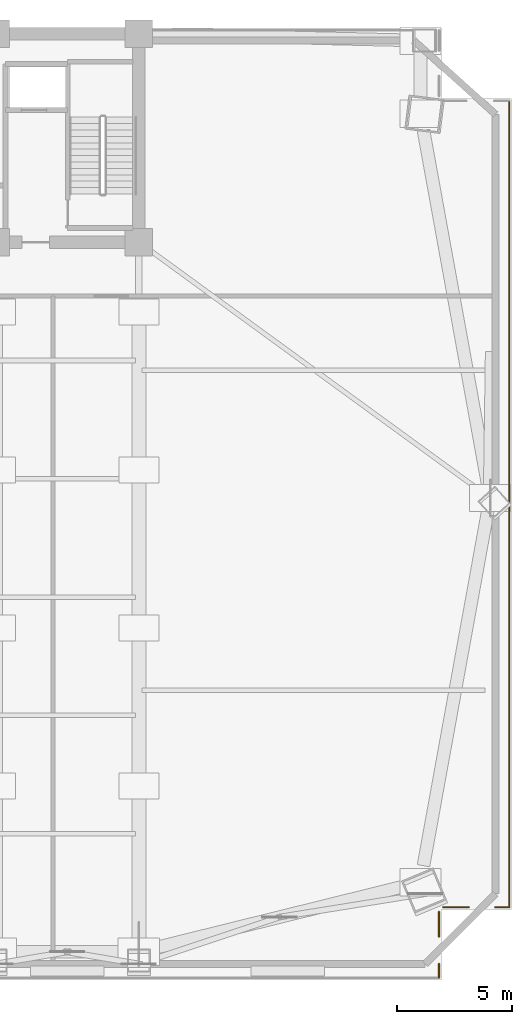
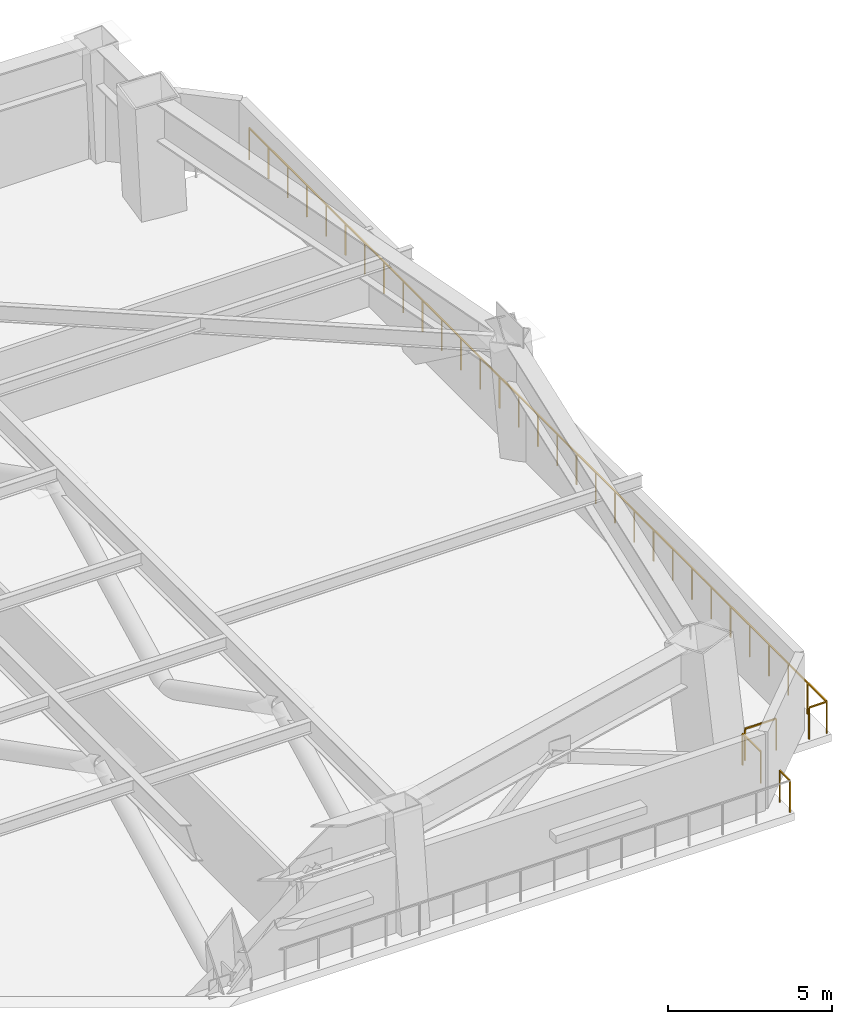
# One storey, part 8 of 10: 5 railings.
"""IFC4 building model written with IfcOpenShell, lengths in metres."""

import ifcopenshell
import ifcopenshell.guid

model = None  # the IFC model being written
_history = None  # IfcOwnerHistory: only IFC2X3 demands one
_inside = {}  # id of a spatial element -> (the spatial element, [elements in it])
_under = {}  # id of a project, library or spatial element -> (it, [spatial elements below it])
_declared = {}  # id of a project -> (the project, [libraries it declares])
_typed = {}  # id of a type object -> (the type object, [elements of that type])
_made_of = {}  # id of a material, layer set ... -> (it, [elements and type objects made of it])


def new_model(schema):
    """Start an empty IFC model of exactly this schema.

    Asked for "IFC4X3", IfcOpenShell would pick the latest addendum, in which some entities
    have other attributes; the version numbers below select the first issue.
    IFC2X3 requires an IfcOwnerHistory on every rooted entity: one is made here for all.
    """
    global model, _history
    if schema == "IFC4X3":
        model = ifcopenshell.file(schema_version=(4, 3, 0, 0))
    else:
        model = ifcopenshell.file(schema=schema)
    _inside.clear()
    _under.clear()
    _declared.clear()
    _typed.clear()
    _made_of.clear()
    _history = None
    if model.schema == "IFC2X3":
        org = make("IfcOrganization", Name="unknown")
        user = make(
            "IfcPersonAndOrganization",
            ThePerson=make("IfcPerson", FamilyName="unknown"),
            TheOrganization=org,
        )
        app = make(
            "IfcApplication",
            ApplicationDeveloper=org,
            Version="unknown",
            ApplicationFullName="unknown",
            ApplicationIdentifier="unknown",
        )
        _history = make(
            "IfcOwnerHistory",
            OwningUser=user,
            OwningApplication=app,
            ChangeAction="ADDED",
            CreationDate=0,
        )
    return model


def make(cls, **values):
    """One entity of the class cls with the attributes given. An attribute that is None is left unset."""
    return model.create_entity(
        cls, **{name: value for name, value in values.items() if value is not None}
    )


def rooted(cls, **values):
    """An entity with a GlobalId (a new one), such as an element, a storey or a relation."""
    return make(cls, GlobalId=ifcopenshell.guid.new(), OwnerHistory=_history, **values)


def si_unit(unit_type, name, prefix=None):
    """IfcSIUnit, for example si_unit("LENGTHUNIT", "METRE", prefix="MILLI")."""
    return make("IfcSIUnit", UnitType=unit_type, Prefix=prefix, Name=name)


def assignment(units):
    """IfcUnitAssignment: the units of a project."""
    return None if units is None else make("IfcUnitAssignment", Units=units)


def point(xyz):
    """IfcCartesianPoint."""
    return None if xyz is None else make("IfcCartesianPoint", Coordinates=xyz)


def direction(xyz):
    """IfcDirection."""
    return None if xyz is None else make("IfcDirection", DirectionRatios=xyz)


def frame(location, z_axis=None, x_axis=None):
    """IfcAxis2Placement3D, a coordinate frame: its origin and axes. An axis left out is left unset."""
    return make(
        "IfcAxis2Placement3D",
        Location=point(location),
        Axis=direction(z_axis),
        RefDirection=direction(x_axis),
    )


def frame_2d(location, x_axis=None):
    """IfcAxis2Placement2D, a coordinate frame in the plane: its origin and x axis."""
    return make(
        "IfcAxis2Placement2D", Location=point(location), RefDirection=direction(x_axis)
    )


def origin():
    """The frame at (0, 0, 0) with its axes left unset."""
    return frame((0.0, 0.0, 0.0))


def origin_2d():
    """The frame at (0, 0) in the plane with its x axis left unset."""
    return frame_2d((0.0, 0.0))


def place(relative_to, where):
    """IfcLocalPlacement: puts the frame where relative to a parent placement (None: the world)."""
    return make(
        "IfcLocalPlacement", PlacementRelTo=relative_to, RelativePlacement=where
    )


def context(
    kind, dimensions, precision=None, world=None, true_north=None, identifier=None
):
    """IfcGeometricRepresentationContext, for example the 3D "Model" context."""
    return make(
        "IfcGeometricRepresentationContext",
        ContextIdentifier=identifier,
        ContextType=kind,
        CoordinateSpaceDimension=dimensions,
        Precision=precision,
        WorldCoordinateSystem=world,
        TrueNorth=true_north,
    )


def subcontext(parent, identifier, kind, view, scale=None):
    """IfcGeometricRepresentationSubContext, for example "Body" below "Model"."""
    return make(
        "IfcGeometricRepresentationSubContext",
        ContextIdentifier=identifier,
        ContextType=kind,
        ParentContext=parent,
        TargetScale=scale,
        TargetView=view,
    )


def project(units=None, contexts=None):
    """IfcProject with its units and contexts."""
    return rooted(
        "IfcProject",
        Name="project",
        RepresentationContexts=contexts,
        UnitsInContext=assignment(units),
    )


def spatial(cls, under=None, at=None, **own):
    """A site, building, storey or space (cls), placed at a placement, below another one or the project."""
    s = rooted(cls, ObjectPlacement=at, **own)
    if under is not None:
        _under.setdefault(under.id(), (under, []))[1].append(s)
    return s


def profile(cls, at=None, kind="AREA", **sizes):
    """A parametric profile (cls). Its sizes go by their IFC names, for example OverallWidth=200.0."""
    return make(cls, ProfileType=kind, Position=at, **sizes)


def rectangle(**sizes):
    """IfcRectangleProfileDef."""
    return profile("IfcRectangleProfileDef", **sizes)


def extrude(swept, where, along, depth):
    """IfcExtrudedAreaSolid: the profile swept, set in the frame where, extruded along a direction by depth."""
    return make(
        "IfcExtrudedAreaSolid",
        SweptArea=swept,
        Position=where,
        ExtrudedDirection=direction(along),
        Depth=depth,
    )


def shape(context_of_items, identifier, shape_type, items):
    """IfcShapeRepresentation: the items that make up one representation, for example the "Body"."""
    return make(
        "IfcShapeRepresentation",
        ContextOfItems=context_of_items,
        RepresentationIdentifier=identifier,
        RepresentationType=shape_type,
        Items=items,
    )


def material(Name=None, Category=None):
    """IfcMaterial."""
    return make("IfcMaterial", Name=Name, Category=Category)


def made_of(thing, what):
    """Note that an element or type object is made of a material, layer set ...; save() writes the relation."""
    if what is not None:
        _made_of.setdefault(what.id(), (what, []))[1].append(thing)
    return thing


def type_object(cls, material=None, **own):
    """A type object (cls), such as IfcWallType, which elements share."""
    return made_of(rooted(cls, **own), material)


def element(
    cls,
    number,
    at=None,
    inside=None,
    cuts=None,
    type_object=None,
    material=None,
    context=None,
    identifier="Body",
    shape_type=None,
    held_by="IfcProductDefinitionShape",
    body=None,
    shapes=None,
    **own,
):
    """One element of the class cls, such as IfcWall. Its Tag is "e" and its number.

    at: its placement. inside: the storey or other place that contains it. cuts: it is an
    opening in that element (IfcRelVoidsElement). A single representation is given by context,
    identifier, shape_type and body (its items); several are given by shapes. held_by: the class
    of the entity that holds the representations. save() writes the other relations.
    """
    e = rooted(cls, Tag="e%d" % number, ObjectPlacement=at, **own)
    if body is not None:
        shapes = [shape(context, identifier, shape_type, body)]
    if shapes is not None:
        e.Representation = make(held_by, Representations=shapes)
    if inside is not None:
        _inside.setdefault(inside.id(), (inside, []))[1].append(e)
    if cuts is not None:
        rooted(
            "IfcRelVoidsElement", RelatingBuildingElement=cuts, RelatedOpeningElement=e
        )
    if type_object is not None:
        _typed.setdefault(type_object.id(), (type_object, []))[1].append(e)
    return made_of(e, material)


def aggregate(whole, parts):
    """IfcRelAggregates: a whole, such as a stair, and the parts it consists of."""
    return rooted("IfcRelAggregates", RelatingObject=whole, RelatedObjects=parts)


def save(model, path):
    """Write the relations noted so far, then the file.

    IfcRelAggregates (storeys below a building ...), IfcRelContainedInSpatialStructure (elements
    in a storey), IfcRelDefinesByType, IfcRelAssociatesMaterial and IfcRelDeclares: one each for
    every whole, place, type object, material and project.
    """
    for whole, parts in _under.values():
        aggregate(whole, parts)
    for where, things in _inside.values():
        rooted(
            "IfcRelContainedInSpatialStructure",
            RelatedElements=things,
            RelatingStructure=where,
        )
    for kind, things in _typed.values():
        rooted("IfcRelDefinesByType", RelatedObjects=things, RelatingType=kind)
    for what, things in _made_of.values():
        rooted("IfcRelAssociatesMaterial", RelatedObjects=things, RelatingMaterial=what)
    for by, libraries in _declared.values():
        rooted("IfcRelDeclares", RelatingContext=by, RelatedDefinitions=libraries)
    model.write(path)


model = new_model("IFC4")

# Units and contexts
model_context = context("Model", 3, precision=1e-05, world=origin(), true_north=direction((0.0, 1.0)))
body_context = subcontext(model_context, "Body", "Model", "MODEL_VIEW")
ifc_project = project(units=[si_unit("LENGTHUNIT", "METRE"), si_unit("AREAUNIT", "SQUARE_METRE"), si_unit("VOLUMEUNIT", "CUBIC_METRE"), si_unit("PLANEANGLEUNIT", "RADIAN"), si_unit("MASSUNIT", "GRAM", prefix="KILO")], contexts=[model_context])

# Site, building, storey
site_placement = place(None, origin())
site = spatial("IfcSite", under=ifc_project, at=site_placement, CompositionType="ELEMENT")
building_placement = place(site_placement, origin())
building = spatial("IfcBuilding", under=site, at=building_placement, Name="Giltprow Tower", CompositionType="ELEMENT")
storey_placement = place(building_placement, frame((0.0, 0.0, 95.199951171875)))
storey = spatial("IfcBuildingStorey", under=building, at=storey_placement, Name="L23", CompositionType="ELEMENT", Elevation=95.199951171875)

# Railings
ifc_material = material(Name="Anodized bronze", Category="metal")
railing_type = type_object("IfcRailingType", Name="RAIL-BALC-GUARD-1200", PredefinedType="BALUSTRADE", material=ifc_material)
railing_1_placement = place(storey_placement, frame((66.72607421875, 43.6298828125, 0.0)))
element("IfcRailing", 1, at=railing_1_placement, inside=storey, type_object=railing_type, Name="L23 Corner Apron Edge Balustrade 14", PredefinedType="BALUSTRADE", context=body_context, shape_type="SweptSolid", body=[
    extrude(rectangle(XDim=0.048095703125, YDim=0.048095703125, at=origin_2d()), frame((0.0, 0.0, 1.17578125), z_axis=(0.0, -1.0, 0.0), x_axis=(1.0, 0.0, 0.0)), (0.0, 0.0, 1.0), 35.223876953125),
    extrude(rectangle(XDim=0.0419921875, YDim=0.0419921875, at=origin_2d()), origin(), (0.0, 0.0, 1.0), 1.15185546875),
    extrude(rectangle(XDim=0.0419921875, YDim=0.0419921875, at=origin_2d()), frame((0.0, -1.174072265625, 0.0)), (0.0, 0.0, 1.0), 1.15185546875),
    extrude(rectangle(XDim=0.0419921875, YDim=0.0419921875, at=origin_2d()), frame((0.0, -2.34814453125, 0.0)), (0.0, 0.0, 1.0), 1.15185546875),
    extrude(rectangle(XDim=0.0419921875, YDim=0.0419921875, at=origin_2d()), frame((0.0, -3.5224609375, 0.0)), (0.0, 0.0, 1.0), 1.15185546875),
    extrude(rectangle(XDim=0.0419921875, YDim=0.0419921875, at=origin_2d()), frame((0.0, -4.696533203125, 0.0)), (0.0, 0.0, 1.0), 1.15185546875),
    extrude(rectangle(XDim=0.0419921875, YDim=0.0419921875, at=origin_2d()), frame((0.0, -5.87060546875, 0.0)), (0.0, 0.0, 1.0), 1.15185546875),
    extrude(rectangle(XDim=0.0419921875, YDim=0.0419921875, at=origin_2d()), frame((0.0, -7.044677734375, 0.0)), (0.0, 0.0, 1.0), 1.15185546875),
    extrude(rectangle(XDim=0.0419921875, YDim=0.0419921875, at=origin_2d()), frame((0.0, -8.218994140625, 0.0)), (0.0, 0.0, 1.0), 1.15185546875),
    extrude(rectangle(XDim=0.0419921875, YDim=0.0419921875, at=origin_2d()), frame((0.0, -9.39306640625, 0.0)), (0.0, 0.0, 1.0), 1.15185546875),
    extrude(rectangle(XDim=0.0419921875, YDim=0.0419921875, at=origin_2d()), frame((0.0, -10.567138671875, 0.0)), (0.0, 0.0, 1.0), 1.15185546875),
    extrude(rectangle(XDim=0.0419921875, YDim=0.0419921875, at=origin_2d()), frame((0.0, -11.7412109375, 0.0)), (0.0, 0.0, 1.0), 1.15185546875),
    extrude(rectangle(XDim=0.0419921875, YDim=0.0419921875, at=origin_2d()), frame((0.0, -12.91552734375, 0.0)), (0.0, 0.0, 1.0), 1.15185546875),
    extrude(rectangle(XDim=0.0419921875, YDim=0.0419921875, at=origin_2d()), frame((0.0, -14.089599609375, 0.0)), (0.0, 0.0, 1.0), 1.15185546875),
    extrude(rectangle(XDim=0.0419921875, YDim=0.0419921875, at=origin_2d()), frame((0.0, -15.263671875, 0.0)), (0.0, 0.0, 1.0), 1.15185546875),
    extrude(rectangle(XDim=0.0419921875, YDim=0.0419921875, at=origin_2d()), frame((0.0, -16.437744140625, 0.0)), (0.0, 0.0, 1.0), 1.15185546875),
    extrude(rectangle(XDim=0.0419921875, YDim=0.0419921875, at=origin_2d()), frame((0.0, -17.61181640625, 0.0)), (0.0, 0.0, 1.0), 1.15185546875),
    extrude(rectangle(XDim=0.0419921875, YDim=0.0419921875, at=origin_2d()), frame((0.0, -18.7861328125, 0.0)), (0.0, 0.0, 1.0), 1.15185546875),
    extrude(rectangle(XDim=0.0419921875, YDim=0.0419921875, at=origin_2d()), frame((0.0, -19.960205078125, 0.0)), (0.0, 0.0, 1.0), 1.15185546875),
    extrude(rectangle(XDim=0.0419921875, YDim=0.0419921875, at=origin_2d()), frame((0.0, -21.13427734375, 0.0)), (0.0, 0.0, 1.0), 1.15185546875),
    extrude(rectangle(XDim=0.0419921875, YDim=0.0419921875, at=origin_2d()), frame((0.0, -22.308349609375, 0.0)), (0.0, 0.0, 1.0), 1.15185546875),
    extrude(rectangle(XDim=0.0419921875, YDim=0.0419921875, at=origin_2d()), frame((0.0, -23.482666015625, 0.0)), (0.0, 0.0, 1.0), 1.15185546875),
    extrude(rectangle(XDim=0.0419921875, YDim=0.0419921875, at=origin_2d()), frame((0.0, -24.65673828125, 0.0)), (0.0, 0.0, 1.0), 1.15185546875),
    extrude(rectangle(XDim=0.0419921875, YDim=0.0419921875, at=origin_2d()), frame((0.0, -25.830810546875, 0.0)), (0.0, 0.0, 1.0), 1.15185546875),
    extrude(rectangle(XDim=0.0419921875, YDim=0.0419921875, at=origin_2d()), frame((0.0, -27.0048828125, 0.0)), (0.0, 0.0, 1.0), 1.15185546875),
    extrude(rectangle(XDim=0.0419921875, YDim=0.0419921875, at=origin_2d()), frame((0.0, -28.17919921875, 0.0)), (0.0, 0.0, 1.0), 1.15185546875),
    extrude(rectangle(XDim=0.0419921875, YDim=0.0419921875, at=origin_2d()), frame((0.0, -29.353271484375, 0.0)), (0.0, 0.0, 1.0), 1.15185546875),
    extrude(rectangle(XDim=0.0419921875, YDim=0.0419921875, at=origin_2d()), frame((0.0, -30.52734375, 0.0)), (0.0, 0.0, 1.0), 1.15185546875),
    extrude(rectangle(XDim=0.0419921875, YDim=0.0419921875, at=origin_2d()), frame((0.0, -31.701416015625, 0.0)), (0.0, 0.0, 1.0), 1.15185546875),
    extrude(rectangle(XDim=0.0419921875, YDim=0.0419921875, at=origin_2d()), frame((0.0, -32.875732421875, 0.0)), (0.0, 0.0, 1.0), 1.15185546875),
    extrude(rectangle(XDim=0.0419921875, YDim=0.0419921875, at=origin_2d()), frame((0.0, -34.0498046875, 0.0)), (0.0, 0.0, 1.0), 1.15185546875),
    extrude(rectangle(XDim=0.0419921875, YDim=0.0419921875, at=origin_2d()), frame((0.0, -35.223876953125, 0.0)), (0.0, 0.0, 1.0), 1.15185546875),
])
railing_2_placement = place(storey_placement, frame((66.72607421875, 8.406005859375, 0.0)))
element("IfcRailing", 2, at=railing_2_placement, inside=storey, type_object=railing_type, Name="L23 Corner Apron Edge Balustrade 15", PredefinedType="BALUSTRADE", context=body_context, shape_type="SweptSolid", body=[
    extrude(rectangle(XDim=0.048095703125, YDim=0.048095703125, at=origin_2d()), frame((0.0, 0.0, 1.17578125), z_axis=(-1.0, 0.0, 0.0), x_axis=(0.0, -1.0, 0.0)), (0.0, 0.0, 1.0), 0.6201171875),
    extrude(rectangle(XDim=0.0419921875, YDim=0.0419921875, at=origin_2d()), origin(), (0.0, 0.0, 1.0), 1.15185546875),
    extrude(rectangle(XDim=0.0419921875, YDim=0.0419921875, at=origin_2d()), frame((-0.6201171875, 0.0, 0.0)), (0.0, 0.0, 1.0), 1.15185546875),
])
railing_3_placement = place(storey_placement, frame((64.946044921875, 8.406005859375, 0.0)))
element("IfcRailing", 3, at=railing_3_placement, inside=storey, type_object=railing_type, Name="L23 Corner Apron Edge Balustrade 16", PredefinedType="BALUSTRADE", context=body_context, shape_type="SweptSolid", body=[
    extrude(rectangle(XDim=0.048095703125, YDim=0.048095703125, at=origin_2d()), frame((0.0, 0.0, 1.17578125), z_axis=(-1.0, 0.0, 0.0), x_axis=(0.0, -1.0, 0.0)), (0.0, 0.0, 1.0), 1.10498046875),
    extrude(rectangle(XDim=0.0419921875, YDim=0.0419921875, at=origin_2d()), origin(), (0.0, 0.0, 1.0), 1.15185546875),
    extrude(rectangle(XDim=0.0419921875, YDim=0.0419921875, at=origin_2d()), frame((-1.10498046875, 0.0, 0.0)), (0.0, 0.0, 1.0), 1.15185546875),
])
railing_4_placement = place(storey_placement, frame((63.656005859375, 8.220947265625, 0.0)))
element("IfcRailing", 4, at=railing_4_placement, inside=storey, type_object=railing_type, Name="L23 Corner Apron Edge Balustrade 17", PredefinedType="BALUSTRADE", context=body_context, shape_type="SweptSolid", body=[
    extrude(rectangle(XDim=0.048095703125, YDim=0.048095703125, at=origin_2d()), frame((0.0, 0.0, 1.17578125), z_axis=(0.0, -1.0, 0.0), x_axis=(1.0, 0.0, 0.0)), (0.0, 0.0, 1.0), 1.10498046875),
    extrude(rectangle(XDim=0.0419921875, YDim=0.0419921875, at=origin_2d()), origin(), (0.0, 0.0, 1.0), 1.15185546875),
    extrude(rectangle(XDim=0.0419921875, YDim=0.0419921875, at=origin_2d()), frame((0.0, -1.10498046875, 0.0)), (0.0, 0.0, 1.0), 1.15185546875),
])
railing_5_placement = place(storey_placement, frame((63.656005859375, 5.9560546875, 0.0)))
element("IfcRailing", 5, at=railing_5_placement, inside=storey, type_object=railing_type, Name="L23 Corner Apron Edge Balustrade 18", PredefinedType="BALUSTRADE", context=body_context, shape_type="SweptSolid", body=[
    extrude(rectangle(XDim=0.048095703125, YDim=0.048095703125, at=origin_2d()), frame((0.0, 0.0, 1.17578125), z_axis=(0.0, -1.0, 0.0), x_axis=(1.0, 0.0, 0.0)), (0.0, 0.0, 1.0), 0.6201171875),
    extrude(rectangle(XDim=0.0419921875, YDim=0.0419921875, at=origin_2d()), origin(), (0.0, 0.0, 1.0), 1.15185546875),
    extrude(rectangle(XDim=0.0419921875, YDim=0.0419921875, at=origin_2d()), frame((0.0, -0.6201171875, 0.0)), (0.0, 0.0, 1.0), 1.15185546875),
])

save(model, "model.ifc")
